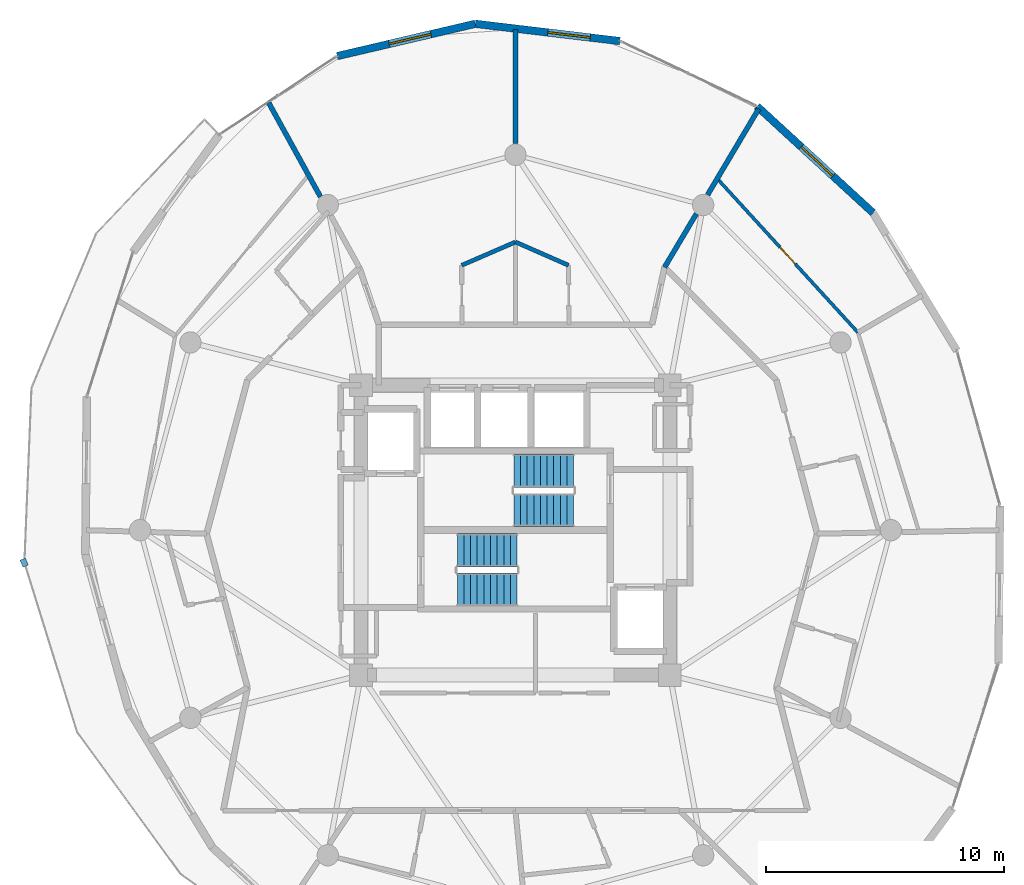
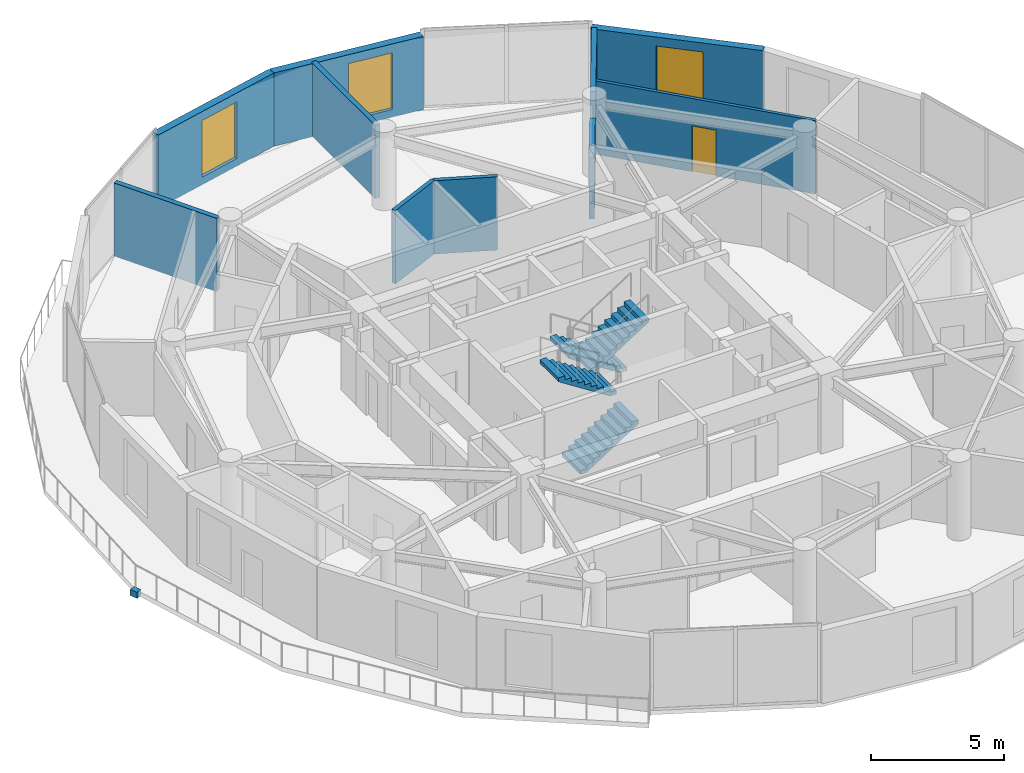
# One storey, part 18 of 20: 10 walls, 4 stair flights, 3 windows, 1 discrete accessory, 1 door, 4 openings, 2 elements without a shape of their own.
"""IFC4 building model written with IfcOpenShell, lengths in metres."""

from ifc_helpers import new_model, si_unit, direction, frame, frame_2d, origin, origin_2d, place, context, subcontext, project, spatial, polyline, rectangle, outline, extrude, material, layer, layer_set, type_object, element, fill, aggregate, save


model = new_model("IFC4")

# Units and contexts
model_context = context("Model", 3, precision=1e-05, world=origin(), true_north=direction((0.0, 1.0)))
body_context = subcontext(model_context, "Body", "Model", "MODEL_VIEW")
ifc_project = project(units=[si_unit("LENGTHUNIT", "METRE"), si_unit("AREAUNIT", "SQUARE_METRE"), si_unit("VOLUMEUNIT", "CUBIC_METRE"), si_unit("PLANEANGLEUNIT", "RADIAN"), si_unit("MASSUNIT", "GRAM", prefix="KILO")], contexts=[model_context])

# Site, building, storey
site_placement = place(None, origin())
site = spatial("IfcSite", under=ifc_project, at=site_placement, CompositionType="ELEMENT")
building_placement = place(site_placement, origin())
building = spatial("IfcBuilding", under=site, at=building_placement, Name="Solvirekh Grand Hotel", CompositionType="ELEMENT")
storey_placement = place(building_placement, frame((0.0, 0.0, 209.199951171875)))
storey = spatial("IfcBuildingStorey", under=building, at=storey_placement, Name="L54", CompositionType="ELEMENT", Elevation=209.199951171875)

# Wall, opening, window
ifc_material_1 = material(Name="Precast concrete C45/55", Category="concrete")
ifc_layer_1 = layer(ifc_material_1, 0.320068359375)
ifc_layer_set_1 = layer_set([ifc_layer_1], Name="Precast concrete C45/55")
wall_type_1 = type_object("IfcWallType", Name="ExtLobbyWall_RC320", PredefinedType="SOLIDWALL", material=ifc_layer_set_1)
wall_1_placement = place(storey_placement, frame((10.1669921875, 17.843994140625, 0.0), z_axis=(0.0, 0.0, 1.0), x_axis=(0.736523155924, -0.676412330452, 0.0)))
wall_1 = element("IfcWall", 1, at=wall_1_placement, inside=storey, type_object=wall_type_1, Name="L54 exterior structural wall chord 7", PredefinedType="SOLIDWALL", context=body_context, shape_type="SweptSolid", body=[
    extrude(rectangle(XDim=6.636474609375, YDim=0.320068359375, at=frame_2d((3.318359375, 0.0))), origin(), (0.0, 0.0, 1.0), 3.360107421875),
])
opening_1_placement = place(wall_1_placement, frame((2.532958984375, 0.0, 0.35009765625)))
opening_1 = element("IfcOpeningElement", 2, at=opening_1_placement, cuts=wall_1, Name="Opening W02", PredefinedType="OPENING", context=body_context, shape_type="SweptSolid", body=[
    extrude(rectangle(XDim=1.800048828125, YDim=2.60009765625, at=frame_2d((0.89990234375, 1.300048828125))), frame((0.0, 0.169921875, 0.0), z_axis=(0.0, -1.0, 0.0), x_axis=(1.0, 0.0, 0.0)), (0.0, 0.0, 1.0), 0.340087890625),
])
ifc_material_2 = material(Name="Low-E Tinted Bronze Laminated Glass", Category="aluminium")
window_type = type_object("IfcWindowType", Name="Win_LobbyExt_1800X2600", PartitioningType="SINGLE_PANEL", PredefinedType="WINDOW", material=ifc_material_2)
window_1_placement = place(opening_1_placement, origin())
window_1 = element("IfcWindow", 3, at=window_1_placement, inside=storey, type_object=window_type, Name="L54 panoramic bronze-framed window 7", OverallHeight=2.60009765625, OverallWidth=1.800048828125, PartitioningType="SINGLE_PANEL", PredefinedType="WINDOW", context=body_context, shape_type="SweptSolid", body=[
    extrude(rectangle(XDim=1.800048828125, YDim=2.60009765625, at=frame_2d((0.89990234375, 1.300048828125))), frame((0.0, 0.030029296875, 0.0), z_axis=(0.0, -1.0, 0.0), x_axis=(1.0, 0.0, 0.0)), (0.0, 0.0, 1.0), 0.06005859375),
])
fill(opening_1, window_1)

wall_2_placement = place(storey_placement, frame((-1.69189453125, 21.31396484375, 0.0), z_axis=(0.0, 0.0, 1.0), x_axis=(0.99294637343, -0.118564326386, 0.0)))
wall_2 = element("IfcWall", 4, at=wall_2_placement, inside=storey, type_object=wall_type_1, Name="L54 exterior structural wall chord 9", PredefinedType="SOLIDWALL", context=body_context, shape_type="SweptSolid", body=[
    extrude(rectangle(XDim=6.132080078125, YDim=0.320068359375, at=frame_2d((3.06591796875, 0.0))), origin(), (0.0, 0.0, 1.0), 3.360107421875),
])
opening_2_placement = place(wall_2_placement, frame((3.071044921875, 0.0, 0.35009765625)))
opening_2 = element("IfcOpeningElement", 5, at=opening_2_placement, cuts=wall_2, Name="Opening W02", PredefinedType="OPENING", context=body_context, shape_type="SweptSolid", body=[
    extrude(rectangle(XDim=1.800048828125, YDim=2.60009765625, at=frame_2d((0.89990234375, 1.300048828125))), frame((0.0, 0.169921875, 0.0), z_axis=(0.0, -1.0, 0.0), x_axis=(1.0, 0.0, 0.0)), (0.0, 0.0, 1.0), 0.340087890625),
])
window_2_placement = place(opening_2_placement, origin())
window_2 = element("IfcWindow", 6, at=window_2_placement, inside=storey, type_object=window_type, Name="L54 panoramic bronze-framed window 9", OverallHeight=2.60009765625, OverallWidth=1.800048828125, PartitioningType="SINGLE_PANEL", PredefinedType="WINDOW", context=body_context, shape_type="SweptSolid", body=[
    extrude(rectangle(XDim=1.800048828125, YDim=2.60009765625, at=frame_2d((0.89990234375, 1.300048828125))), frame((0.0, 0.030029296875, 0.0), z_axis=(0.0, -1.0, 0.0), x_axis=(1.0, 0.0, 0.0)), (0.0, 0.0, 1.0), 0.06005859375),
])
fill(opening_2, window_2)

wall_3_placement = place(storey_placement, frame((-7.501953125, 19.955078125, 0.0), z_axis=(0.0, 0.0, 1.0), x_axis=(0.97372216523, 0.227739203785, 0.0)))
wall_3 = element("IfcWall", 7, at=wall_3_placement, inside=storey, type_object=wall_type_1, Name="L54 exterior structural wall chord 10", PredefinedType="SOLIDWALL", context=body_context, shape_type="SweptSolid", body=[
    extrude(rectangle(XDim=5.966796875, YDim=0.320068359375, at=frame_2d((2.9833984375, 0.0))), origin(), (0.0, 0.0, 1.0), 3.360107421875),
])
opening_3_placement = place(wall_3_placement, frame((2.2490234375, 0.0, 0.35009765625)))
opening_3 = element("IfcOpeningElement", 8, at=opening_3_placement, cuts=wall_3, Name="Opening W02", PredefinedType="OPENING", context=body_context, shape_type="SweptSolid", body=[
    extrude(rectangle(XDim=1.800048828125, YDim=2.60009765625, at=frame_2d((0.89990234375, 1.300048828125))), frame((0.0, 0.169921875, 0.0), z_axis=(0.0, -1.0, 0.0), x_axis=(1.0, 0.0, 0.0)), (0.0, 0.0, 1.0), 0.340087890625),
])
window_3_placement = place(opening_3_placement, origin())
window_3 = element("IfcWindow", 9, at=window_3_placement, inside=storey, type_object=window_type, Name="L54 panoramic bronze-framed window 10", OverallHeight=2.60009765625, OverallWidth=1.800048828125, PartitioningType="SINGLE_PANEL", PredefinedType="WINDOW", context=body_context, shape_type="SweptSolid", body=[
    extrude(rectangle(XDim=1.800048828125, YDim=2.60009765625, at=frame_2d((0.89990234375, 1.300048828125))), frame((0.0, 0.030029296875, 0.0), z_axis=(0.0, -1.0, 0.0), x_axis=(1.0, 0.0, 0.0)), (0.0, 0.0, 1.0), 0.06005859375),
])
fill(opening_3, window_3)

# Wall, opening, door
ifc_material_3 = material(Name="Acoustic Gypsum Partition Assembly")
ifc_layer_2 = layer(ifc_material_3, 0.135009765625)
ifc_layer_set_2 = layer_set([ifc_layer_2], Name="Acoustic Gypsum Partition Assembly")
wall_type_2 = type_object("IfcWallType", Name="Part_RoomInt_135", PredefinedType="PARTITIONING", material=ifc_layer_set_2)
wall_4_placement = place(storey_placement, frame((14.41796875, 8.318115234375, 0.0), z_axis=(0.0, 0.0, 1.0), x_axis=(-0.674924557891, 0.73788674006, 0.0)))
wall_4 = element("IfcWall", 10, at=wall_4_placement, inside=storey, type_object=wall_type_2, Name="L54 Executive Suite 5606 Panorama Suite Study bedroom screen wall", PredefinedType="PARTITIONING", context=body_context, shape_type="SweptSolid", body=[
    extrude(rectangle(XDim=8.77880859375, YDim=0.135009765625, at=frame_2d((4.389404296875, 0.0))), origin(), (0.0, 0.0, 1.0), 3.360107421875),
])
opening_4_placement = place(wall_4_placement, frame((3.9140625, 0.0, 0.0)))
opening_4 = element("IfcOpeningElement", 11, at=opening_4_placement, cuts=wall_4, Name="Opening D10", PredefinedType="OPENING", context=body_context, shape_type="SweptSolid", body=[
    extrude(rectangle(XDim=0.949951171875, YDim=2.10009765625, at=frame_2d((0.47509765625, 1.050048828125))), frame((0.0, 0.07763671875, 0.0), z_axis=(0.0, -1.0, 0.0), x_axis=(1.0, 0.0, 0.0)), (0.0, 0.0, 1.0), 0.155029296875),
])
ifc_material_4 = material(Name="Anodized Bronze Aluminium 6063-T6", Category="aluminium")
door_type = type_object("IfcDoorType", Name="Door_RoomInt_950X2100", OperationType="NOTDEFINED", PredefinedType="DOOR", material=ifc_material_4)
door_placement = place(opening_4_placement, origin())
door = element("IfcDoor", 12, at=door_placement, inside=storey, type_object=door_type, Name="L54 Executive Suite 5606 Panorama Suite Study master bedroom door", OperationType="SINGLE_SWING_LEFT", OverallHeight=2.10009765625, OverallWidth=0.949951171875, PredefinedType="DOOR", context=body_context, shape_type="SweptSolid", body=[
    extrude(rectangle(XDim=0.949951171875, YDim=2.10009765625, at=frame_2d((0.47509765625, 1.050048828125))), frame((0.0, 0.02490234375, 0.0), z_axis=(0.0, -1.0, 0.0), x_axis=(1.0, 0.0, 0.0)), (0.0, 0.0, 1.0), 0.050048828125),
])
fill(opening_4, door)

# Walls
ifc_layer_3 = layer(ifc_material_3, 0.2099609375)
ifc_layer_set_3 = layer_set([ifc_layer_3], Name="Acoustic Gypsum Partition Assembly")
wall_type_3 = type_object("IfcWallType", Name="Part_SuiteDemise_210", PredefinedType="PARTITIONING", material=ifc_layer_set_3)
wall_5_placement = place(storey_placement, frame((6.27490234375, 11.06494140625, 0.0), z_axis=(0.0, 0.0, 1.0), x_axis=(0.510935579326, 0.859619005013, 0.0)))
element("IfcWall", 13, at=wall_5_placement, inside=storey, type_object=wall_type_3, Name="L54 suite radial wall 3 (A)", PredefinedType="PARTITIONING", context=body_context, shape_type="SweptSolid", body=[
    extrude(rectangle(XDim=2.615234375, YDim=0.2099609375, at=frame_2d((1.3076171875, 0.0))), origin(), (0.0, 0.0, 1.0), 2.801025390625),
])
wall_6_placement = place(storey_placement, frame((8.0869140625, 14.114013671875, 0.0), z_axis=(0.0, 0.0, 1.0), x_axis=(0.510955957876, 0.859606892196, 0.0)))
element("IfcWall", 14, at=wall_6_placement, inside=storey, type_object=wall_type_3, Name="L54 suite radial wall 3 (B)", PredefinedType="PARTITIONING", context=body_context, shape_type="SweptSolid", body=[
    extrude(rectangle(XDim=4.204345703125, YDim=0.2099609375, at=frame_2d((2.10205078125, 0.0))), origin(), (0.0, 0.0, 1.0), 3.360107421875),
])
wall_7_placement = place(storey_placement, frame((-8.2099609375, 14.035888671875, 0.0), z_axis=(0.0, 0.0, 1.0), x_axis=(-0.482207793196, 0.876056872686, 0.0)))
element("IfcWall", 15, at=wall_7_placement, inside=storey, type_object=wall_type_3, Name="L54 suite radial wall 5 (B)", PredefinedType="PARTITIONING", context=body_context, shape_type="SweptSolid", body=[
    extrude(rectangle(XDim=4.506591796875, YDim=0.2099609375, at=frame_2d((2.25341796875, 0.0))), origin(), (0.0, 0.0, 1.0), 3.360107421875),
])
wall_8_placement = place(storey_placement, frame((0.0, 16.27001953125, 0.0), z_axis=(0.0, 0.0, 1.0), x_axis=(0.0, 1.0, 0.0)))
element("IfcWall", 16, at=wall_8_placement, inside=storey, type_object=wall_type_3, Name="L54 Deluxe Guestroom 5601 dividing partition 1 (B)", PredefinedType="PARTITIONING", context=body_context, shape_type="SweptSolid", body=[
    extrude(rectangle(XDim=4.802001953125, YDim=0.2099609375, at=frame_2d((2.40087890625, 0.0))), origin(), (0.0, 0.0, 1.0), 3.360107421875),
])
ifc_layer_4 = layer(ifc_material_3, 0.175048828125)
ifc_layer_set_4 = layer_set([ifc_layer_4], Name="Acoustic Gypsum Partition Assembly")
wall_type_4 = type_object("IfcWallType", Name="Plumb_Ensuite_175", PredefinedType="PLUMBINGWALL", material=ifc_layer_set_4)
wall_9_placement = place(storey_placement, frame((0.0, 12.1279296875, 0.0), z_axis=(0.0, 0.0, 1.0), x_axis=(0.915837910364, -0.401548156439, 0.0)))
element("IfcWall", 17, at=wall_9_placement, inside=storey, type_object=wall_type_4, Name="L54 En-suite Bathroom 5601 outer plumbing wall", PredefinedType="PLUMBINGWALL", context=body_context, shape_type="SweptSolid", body=[
    extrude(rectangle(XDim=2.4404296875, YDim=0.175048828125, at=frame_2d((1.22021484375, 0.0))), origin(), (0.0, 0.0, 1.0), 3.360107421875),
])
wall_10_placement = place(storey_placement, frame((-2.263916015625, 11.14794921875, 0.0), z_axis=(0.0, 0.0, 1.0), x_axis=(0.917710808699, 0.397249130391, 0.0)))
element("IfcWall", 18, at=wall_10_placement, inside=storey, type_object=wall_type_4, Name="L54 En-suite Bathroom 5602 outer plumbing wall", PredefinedType="PLUMBINGWALL", context=body_context, shape_type="SweptSolid", body=[
    extrude(rectangle(XDim=2.466796875, YDim=0.175048828125, at=frame_2d((1.2333984375, 0.0))), origin(), (0.0, 0.0, 1.0), 3.360107421875),
])

# Stair, stair flights
ifc_material_5 = material(Name="Concrete C40/50", Category="concrete")
stair_type = type_object("IfcStairType", Name="Stair_Core_1450", PredefinedType="HALF_TURN_STAIR", material=ifc_material_5)
stair_1_placement = place(storey_placement, origin())
stair_1 = element("IfcStair", 19, at=stair_1_placement, inside=storey, type_object=stair_type, Name="L54 Enclosed exit stair ST-1", PredefinedType="HALF_TURN_STAIR")
stair_flight_type = type_object("IfcStairFlightType", Name="Flight_Core_1450", PredefinedType="STRAIGHT", material=ifc_material_5)
stair_flight_1_placement = place(storey_placement, frame((-2.449951171875, -2.5, 0.0), z_axis=(0.0, 0.0, 1.0), x_axis=(1.0, 0.0, 0.0)))
stair_flight_1 = element("IfcStairFlight", 20, at=stair_flight_1_placement, type_object=stair_flight_type, Name="ST-1 flight 1", NumberOfRisers=10, NumberOfTreads=9, PredefinedType="STRAIGHT", RiserHeight=0.18, TreadLength=0.28, context=body_context, shape_type="SweptSolid", body=[
    extrude(outline(polyline([(0.0, 0.0), (0.0, 0.179931640625), (0.280029296875, 0.179931640625), (0.280029296875, 0.360107421875), (0.56005859375, 0.360107421875), (0.56005859375, 0.5400390625), (0.840087890625, 0.5400390625), (0.840087890625, 0.719970703125), (1.1201171875, 0.719970703125), (1.1201171875, 0.89990234375), (1.39990234375, 0.89990234375), (1.39990234375, 1.080078125), (1.679931640625, 1.080078125), (1.679931640625, 1.260009765625), (1.9599609375, 1.260009765625), (1.9599609375, 1.43994140625), (2.239990234375, 1.43994140625), (2.239990234375, 1.6201171875), (2.52001953125, 1.6201171875), (2.52001953125, 1.800048828125), (2.52001953125, 1.44189453125), (0.277099609375, 0.0), (0.0, 0.0)])), frame((0.0, 0.699951171875, 0.0), z_axis=(0.0, -1.0, 0.0), x_axis=(1.0, 0.0, 0.0)), (0.0, 0.0, 1.0), 1.39990234375),
])
stair_flight_2_placement = place(storey_placement, frame((0.070068359375, -0.85009765625, 1.800048828125), z_axis=(0.0, 0.0, 1.0), x_axis=(-1.0, 0.0, 0.0)))
stair_flight_2 = element("IfcStairFlight", 21, at=stair_flight_2_placement, type_object=stair_flight_type, Name="ST-1 flight 2", NumberOfRisers=10, NumberOfTreads=9, PredefinedType="STRAIGHT", RiserHeight=0.18, TreadLength=0.28, context=body_context, shape_type="SweptSolid", body=[
    extrude(outline(polyline([(0.0, 0.0), (0.0, 0.179931640625), (0.280029296875, 0.179931640625), (0.280029296875, 0.360107421875), (0.56005859375, 0.360107421875), (0.56005859375, 0.5400390625), (0.840087890625, 0.5400390625), (0.840087890625, 0.719970703125), (1.1201171875, 0.719970703125), (1.1201171875, 0.89990234375), (1.39990234375, 0.89990234375), (1.39990234375, 1.080078125), (1.679931640625, 1.080078125), (1.679931640625, 1.260009765625), (1.9599609375, 1.260009765625), (1.9599609375, 1.43994140625), (2.239990234375, 1.43994140625), (2.239990234375, 1.6201171875), (2.52001953125, 1.6201171875), (2.52001953125, 1.800048828125), (2.52001953125, 1.44189453125), (0.277099609375, 0.0), (0.0, 0.0)])), frame((0.0, 0.699951171875, 0.0), z_axis=(0.0, -1.0, 0.0), x_axis=(1.0, 0.0, 0.0)), (0.0, 0.0, 1.0), 1.39990234375),
])
aggregate(stair_1, [stair_flight_1, stair_flight_2])

stair_2_placement = place(storey_placement, origin())
stair_2 = element("IfcStair", 22, at=stair_2_placement, inside=storey, type_object=stair_type, Name="L54 Enclosed exit stair ST-2", PredefinedType="HALF_TURN_STAIR")
stair_flight_3_placement = place(storey_placement, frame((2.449951171875, 2.5, 0.0), z_axis=(0.0, 0.0, 1.0), x_axis=(-1.0, 0.0, 0.0)))
stair_flight_3 = element("IfcStairFlight", 23, at=stair_flight_3_placement, type_object=stair_flight_type, Name="ST-2 flight 1", NumberOfRisers=10, NumberOfTreads=9, PredefinedType="STRAIGHT", RiserHeight=0.18, TreadLength=0.28, context=body_context, shape_type="SweptSolid", body=[
    extrude(outline(polyline([(0.0, 0.0), (0.0, 0.179931640625), (0.280029296875, 0.179931640625), (0.280029296875, 0.360107421875), (0.56005859375, 0.360107421875), (0.56005859375, 0.5400390625), (0.840087890625, 0.5400390625), (0.840087890625, 0.719970703125), (1.1201171875, 0.719970703125), (1.1201171875, 0.89990234375), (1.39990234375, 0.89990234375), (1.39990234375, 1.080078125), (1.679931640625, 1.080078125), (1.679931640625, 1.260009765625), (1.9599609375, 1.260009765625), (1.9599609375, 1.43994140625), (2.239990234375, 1.43994140625), (2.239990234375, 1.6201171875), (2.52001953125, 1.6201171875), (2.52001953125, 1.800048828125), (2.52001953125, 1.44189453125), (0.277099609375, 0.0), (0.0, 0.0)])), frame((0.0, 0.699951171875, 0.0), z_axis=(0.0, -1.0, 0.0), x_axis=(1.0, 0.0, 0.0)), (0.0, 0.0, 1.0), 1.39990234375),
])
stair_flight_4_placement = place(storey_placement, frame((-0.070068359375, 0.85009765625, 1.800048828125), z_axis=(0.0, 0.0, 1.0), x_axis=(1.0, 0.0, 0.0)))
stair_flight_4 = element("IfcStairFlight", 24, at=stair_flight_4_placement, type_object=stair_flight_type, Name="ST-2 flight 2", NumberOfRisers=10, NumberOfTreads=9, PredefinedType="STRAIGHT", RiserHeight=0.18, TreadLength=0.28, context=body_context, shape_type="SweptSolid", body=[
    extrude(outline(polyline([(0.0, 0.0), (0.0, 0.179931640625), (0.280029296875, 0.179931640625), (0.280029296875, 0.360107421875), (0.56005859375, 0.360107421875), (0.56005859375, 0.5400390625), (0.840087890625, 0.5400390625), (0.840087890625, 0.719970703125), (1.1201171875, 0.719970703125), (1.1201171875, 0.89990234375), (1.39990234375, 0.89990234375), (1.39990234375, 1.080078125), (1.679931640625, 1.080078125), (1.679931640625, 1.260009765625), (1.9599609375, 1.260009765625), (1.9599609375, 1.43994140625), (2.239990234375, 1.43994140625), (2.239990234375, 1.6201171875), (2.52001953125, 1.6201171875), (2.52001953125, 1.800048828125), (2.52001953125, 1.44189453125), (0.277099609375, 0.0), (0.0, 0.0)])), frame((0.0, 0.699951171875, 0.0), z_axis=(0.0, -1.0, 0.0), x_axis=(1.0, 0.0, 0.0)), (0.0, 0.0, 1.0), 1.39990234375),
])
aggregate(stair_2, [stair_flight_3, stair_flight_4])

# Discrete accessory
ifc_material_6 = material(Name="Steel S355", Category="steel")
discrete_accessory_type = type_object("IfcDiscreteAccessoryType", Name="Acc_ThermalBracket", PredefinedType="BRACKET", material=ifc_material_6)
discrete_accessory_placement = place(storey_placement, frame((-20.679931640625, -1.364990234375, -0.27978515625), z_axis=(0.0, 0.0, 1.0), x_axis=(0.397147890635, -0.917754625684, 0.0)))
element("IfcDiscreteAccessory", 25, at=discrete_accessory_placement, inside=storey, type_object=discrete_accessory_type, Name="L54 balcony thermal-break bracket", PredefinedType="BRACKET", context=body_context, shape_type="SweptSolid", body=[
    extrude(rectangle(XDim=0.320068359375, YDim=0.239990234375, at=origin_2d()), origin(), (0.0, 0.0, 1.0), 0.280029296875),
])

save(model, "model.ifc")
